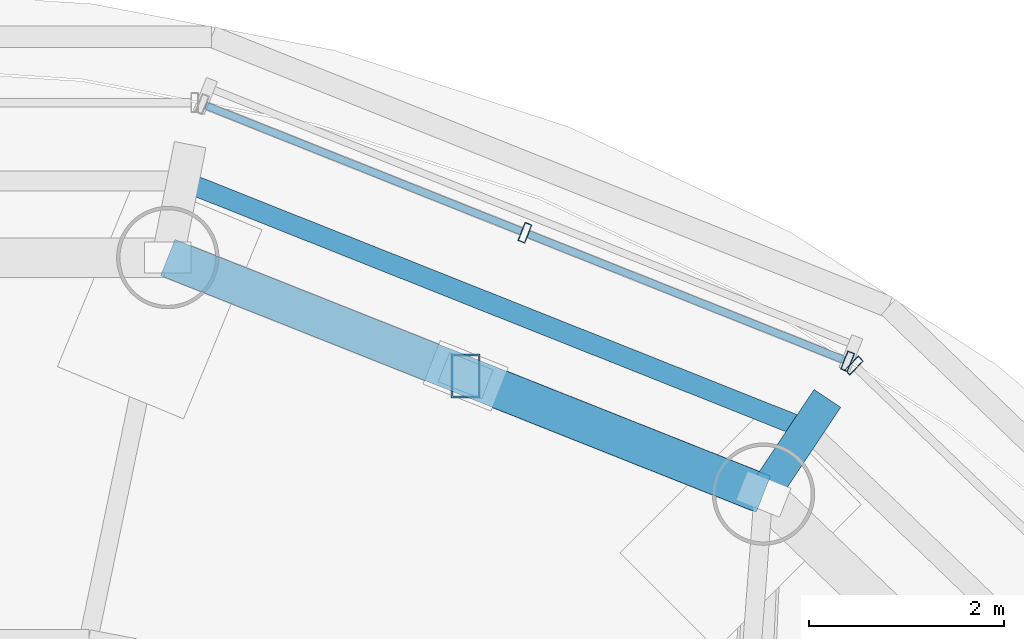
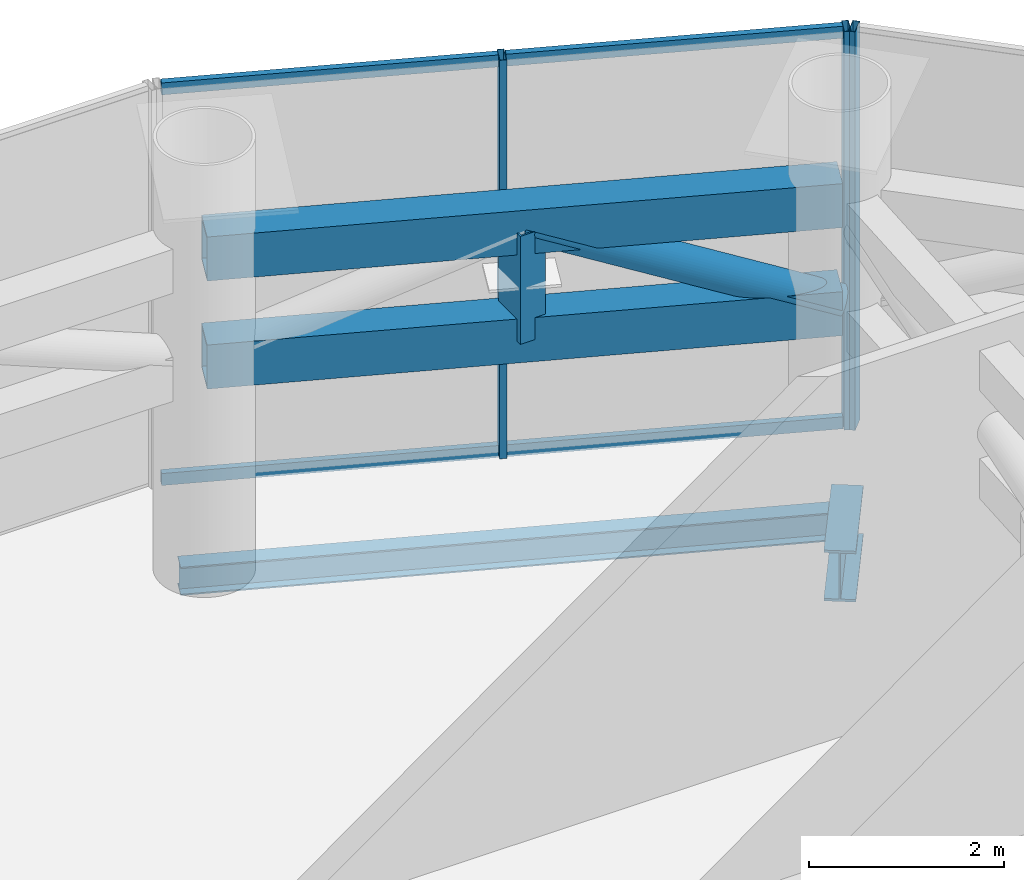
# One storey, part 14 of 21: 11 members, 2 beams, 2 elements without a shape of their own.
"""IFC4 building model written with IfcOpenShell, lengths in metres."""

from ifc_helpers import new_model, si_unit, direction, frame, origin, origin_2d, place, context, subcontext, project, spatial, hollow_rectangle, hollow_circle, i_section, extrude, source, transform, mapped, material, material_profile, profile_set, type_object, element, aggregate, save


model = new_model("IFC4")

# Units and contexts
model_context = context("Model", 3, precision=1e-05, world=origin(), true_north=direction((-0.2419218956, 0.970295726276)))
body_context = subcontext(model_context, "Body", "Model", "MODEL_VIEW")
ifc_project = project(units=[si_unit("LENGTHUNIT", "METRE"), si_unit("AREAUNIT", "SQUARE_METRE"), si_unit("VOLUMEUNIT", "CUBIC_METRE"), si_unit("PLANEANGLEUNIT", "RADIAN"), si_unit("MASSUNIT", "GRAM", prefix="KILO")], contexts=[model_context])

# Site, building, storey
site_placement = place(None, origin())
site = spatial("IfcSite", under=ifc_project, at=site_placement, CompositionType="ELEMENT")
building_placement = place(site_placement, origin())
building = spatial("IfcBuilding", under=site, at=building_placement, Name="Cobrevalo Terracotta Tower", CompositionType="ELEMENT")
storey_placement = place(building_placement, frame((0.0, 0.0, 300.699951171875)))
storey = spatial("IfcBuildingStorey", under=building, at=storey_placement, Name="L79", CompositionType="ELEMENT", Elevation=300.699951171875)

# Beams
ifc_material_1 = material(Name="Steel S355", Category="steel")
ifc_material_profile_1 = material_profile(ifc_material_1, i_section(OverallWidth=0.3291015625, OverallDepth=0.635009765625, WebThickness=0.017822265625, FlangeThickness=0.031005859375, at=origin_2d()), Name="W 610x241")
ifc_profile_set_1 = profile_set([ifc_material_profile_1], Name="Steel S355")
beam_type_1 = type_object("IfcBeamType", Name="Structural Beam W 610x241 (Steel S355)", PredefinedType="BEAM", material=ifc_profile_set_1)
beam_1_placement = place(storey_placement, frame((48.072509765625, 41.29248046875, -0.767333984375), z_axis=(-0.555511595138, -0.831508789892, 0.0), x_axis=(0.831508789892, -0.555511595138, 0.0)))
element("IfcBeam", 1, at=beam_1_placement, inside=storey, type_object=beam_type_1, Name="L79 setback step-link girder 03", PredefinedType="BEAM", context=body_context, shape_type="SweptSolid", body=[
    extrude(i_section(OverallWidth=0.3291015625, OverallDepth=0.635009765625, WebThickness=0.017822265625, FlangeThickness=0.031005859375, at=origin_2d()), origin(), (0.0, 0.0, 1.0), 1.179931640625),
])
ifc_material_profile_2 = material_profile(ifc_material_1, i_section(OverallWidth=0.205078125, OverallDepth=0.35400390625, WebThickness=0.009521484375, FlangeThickness=0.016845703125, at=origin_2d()), Name="W 360x79")
ifc_profile_set_2 = profile_set([ifc_material_profile_2], Name="Steel S355")
beam_type_2 = type_object("IfcBeamType", Name="Structural Spandrel W 360x79 (Steel S355)", PredefinedType="SPANDREL", material=ifc_profile_set_2)
beam_2_placement = place(storey_placement, frame((47.861328125, 40.9765625, -0.626953125), z_axis=(-0.929149986048, 0.369702993533, 0.0), x_axis=(-0.369702993533, -0.929149986048, 0.0)))
element("IfcBeam", 2, at=beam_2_placement, inside=storey, type_object=beam_type_2, Name="L79 perimeter ring spandrel 03", PredefinedType="SPANDREL", context=body_context, shape_type="SweptSolid", body=[
    extrude(i_section(OverallWidth=0.205078125, OverallDepth=0.35400390625, WebThickness=0.009521484375, FlangeThickness=0.016845703125, at=origin_2d()), origin(), (0.0, 0.0, 1.0), 6.88623046875),
])

# Members
ifc_material_profile_3 = material_profile(ifc_material_1, hollow_rectangle(XDim=0.300048828125, YDim=0.449951171875, WallThickness=0.02001953125, at=origin_2d()), Name="RHS 450x300x20")
ifc_profile_set_3 = profile_set([ifc_material_profile_3], Name="Steel S355")
member_type_1 = type_object("IfcMemberType", Name="Steel Post RHS 450x300x20 (Steel S355)", PredefinedType="POST", material=ifc_profile_set_3)
shared_shape_1 = source(origin(), body_context, "Body", "SweptSolid", [
    extrude(hollow_rectangle(XDim=0.300048828125, YDim=0.449951171875, WallThickness=0.02001953125, at=origin_2d()), origin(), (0.0, 0.0, 1.0), 1.349853515625),
])
member_1_placement = place(storey_placement, frame((44.36181640625, 41.524658203125, 2.650146484375), z_axis=(0.0, 0.0, 1.0), x_axis=(1.0, 0.0, 0.0)))
element("IfcMember", 3, at=member_1_placement, inside=storey, type_object=member_type_1, Name="L79 belt truss post 03", PredefinedType="POST", context=body_context, shape_type="MappedRepresentation", body=[
    mapped(shared_shape_1, transform((0.0, 0.0, 0.0), scale=1.0)),
])
ifc_material_profile_4 = material_profile(ifc_material_1, hollow_rectangle(XDim=0.39990234375, YDim=0.550048828125, WallThickness=0.02490234375, at=origin_2d()), Name="RHS 550x400x25")
ifc_profile_set_4 = profile_set([ifc_material_profile_4], Name="Steel S355")
member_type_2 = type_object("IfcMemberType", Name="Steel Chord RHS 550x400x25 (Steel S355)", PredefinedType="CHORD", material=ifc_profile_set_4)
shared_shape_2 = source(origin(), body_context, "Body", "SweptSolid", [
    extrude(hollow_rectangle(XDim=0.39990234375, YDim=0.550048828125, WallThickness=0.02490234375, at=origin_2d()), origin(), (0.0, 0.0, 1.0), 6.57421875),
])
for number, where, z_axis, x_axis, name in (
    (4, (47.4169921875, 40.311279296875, 2.650146484375), (-0.929393272516, 0.369090971173, 0.0), (-0.369090971173, -0.929393272516, 0.0), "L79 belt truss chord 03-BC"),
    (5, (47.4169921875, 40.311279296875, 4.0), (-0.929393272516, 0.369090971173, 0.0), (-0.369090971173, -0.929393272516, 0.0), "L79 belt truss chord 03-TC"),
):
    element("IfcMember", number, at=place(storey_placement, frame(where, z_axis=z_axis, x_axis=x_axis)), inside=storey, type_object=member_type_2, Name=name, PredefinedType="CHORD", context=body_context, shape_type="MappedRepresentation", body=[
        mapped(shared_shape_2, transform((0.0, 0.0, 0.0), scale=1.0)),
    ])
ifc_material_profile_5 = material_profile(ifc_material_1, hollow_circle(Radius=0.202880859375, WallThickness=0.01611328125, at=origin_2d()), Name="CHS 406x16")
ifc_profile_set_5 = profile_set([ifc_material_profile_5], Name="Steel S355")
member_type_3 = type_object("IfcMemberType", Name="Steel Brace CHS 406x16 (Steel S355)", PredefinedType="BRACE", material=ifc_profile_set_5)
shared_shape_3 = source(origin(), body_context, "Body", "SweptSolid", [
    extrude(hollow_circle(Radius=0.202880859375, WallThickness=0.01611328125, at=origin_2d()), origin(), (0.0, 0.0, 1.0), 3.5537109375),
])
member_2_placement = place(storey_placement, frame((47.4169921875, 40.311279296875, 2.650146484375), z_axis=(-0.859726784029, 0.341444950985, 0.379848920321), x_axis=(-0.36911030821, -0.929385592945, 0.0)))
element("IfcMember", 6, at=member_2_placement, inside=storey, type_object=member_type_3, Name="L79 belt truss diagonal brace 03-D1", PredefinedType="BRACE", context=body_context, shape_type="MappedRepresentation", body=[
    mapped(shared_shape_3, transform((0.0, 0.0, 0.0), scale=1.0)),
])

# Curtain wall, member
ifc_material_2 = material(Name="Anodized aluminium", Category="aluminium")
curtain_wall_type = type_object("IfcCurtainWallType", Name="Belt-truss plant acoustic weather-louvre curtain wall CW-LV", PredefinedType="NOTDEFINED", material=ifc_material_2)
curtain_wall_1_placement = place(storey_placement, origin())
curtain_wall_1 = element("IfcCurtainWall", 7, at=curtain_wall_1_placement, inside=storey, type_object=curtain_wall_type, Name="L79 curtain wall CW-LV-L79-S02", PredefinedType="NOTDEFINED")
ifc_material_profile_6 = material_profile(ifc_material_2, hollow_rectangle(XDim=0.074951171875, YDim=0.199951171875, WallThickness=0.0048828125, at=origin_2d()), Name="CWM 75x200")
ifc_profile_set_6 = profile_set([ifc_material_profile_6], Name="Anodized aluminium")
member_type_4 = type_object("IfcMemberType", Name="Lower/mid tower unitised mullion 75x200", PredefinedType="MULLION", material=ifc_profile_set_6)
shared_shape_4 = source(origin(), body_context, "Body", "SweptSolid", [
    extrude(hollow_rectangle(XDim=0.074951171875, YDim=0.199951171875, WallThickness=0.0048828125, at=origin_2d()), origin(), (0.0, 0.0, 1.0), 4.97998046875),
])
member_3_placement = place(storey_placement, frame((48.345703125, 41.630615234375, 0.0), z_axis=(0.0, 0.0, 1.0), x_axis=(-0.72055111168, 0.693401828276, 0.0)))
member_3 = element("IfcMember", 8, at=member_3_placement, type_object=member_type_4, Name="CW-LV-L79-S02 vertical mullion 03", PredefinedType="MULLION", context=body_context, shape_type="MappedRepresentation", body=[
    mapped(shared_shape_4, transform((0.0, 0.0, 0.0), scale=1.0)),
])
aggregate(curtain_wall_1, [member_3])

# Curtain wall, members
curtain_wall_2_placement = place(storey_placement, origin())
curtain_wall_2 = element("IfcCurtainWall", 9, at=curtain_wall_2_placement, inside=storey, type_object=curtain_wall_type, Name="L79 curtain wall CW-LV-L79-S03", PredefinedType="NOTDEFINED")
member_4_placement = place(storey_placement, frame((48.27978515625, 41.673095703125, 0.0), z_axis=(0.0, 0.0, 1.0), x_axis=(-0.928925921087, 0.370265625102, 0.0)))
member_4 = element("IfcMember", 10, at=member_4_placement, type_object=member_type_4, Name="CW-LV-L79-S03 vertical mullion 01", PredefinedType="MULLION", context=body_context, shape_type="MappedRepresentation", body=[
    mapped(shared_shape_4, transform((0.0, 0.0, 0.0), scale=1.0)),
])
member_5_placement = place(storey_placement, frame((44.969970703125, 42.992431640625, 0.0), z_axis=(0.0, 0.0, 1.0), x_axis=(-0.928925921087, 0.370265625102, 0.0)))
member_5 = element("IfcMember", 11, at=member_5_placement, type_object=member_type_4, Name="CW-LV-L79-S03 vertical mullion 02", PredefinedType="MULLION", context=body_context, shape_type="MappedRepresentation", body=[
    mapped(shared_shape_4, transform((0.0, 0.0, 0.0), scale=1.0)),
])
ifc_material_profile_7 = material_profile(ifc_material_2, hollow_rectangle(XDim=0.074951171875, YDim=0.14990234375, WallThickness=0.00439453125, at=origin_2d()), Name="CWT 75x150")
ifc_profile_set_7 = profile_set([ifc_material_profile_7], Name="Anodized aluminium")
member_type_5 = type_object("IfcMemberType", Name="Tower unitised aluminium transom 75x150", PredefinedType="USERDEFINED", material=ifc_profile_set_7)
shared_shape_5 = source(origin(), body_context, "Body", "SweptSolid", [
    extrude(hollow_rectangle(XDim=0.074951171875, YDim=0.14990234375, WallThickness=0.00439453125, at=origin_2d()), origin(), (0.0, 0.0, 1.0), 3.483154296875),
])
member_6_placement = place(storey_placement, frame((48.24267578125, 41.68798828125, 0.050048828125), z_axis=(-0.928915921031, 0.370290712353, 0.0), x_axis=(-0.370290712353, -0.928915921031, 0.0)))
member_6 = element("IfcMember", 12, at=member_6_placement, type_object=member_type_5, Name="CW-LV-L79-S03 transom B01-T1", ObjectType="TRANSOM", PredefinedType="USERDEFINED", context=body_context, shape_type="MappedRepresentation", body=[
    mapped(shared_shape_5, transform((0.0, 0.0, 0.0), scale=1.0)),
])
member_7_placement = place(storey_placement, frame((48.24267578125, 41.68798828125, 4.929931640625), z_axis=(-0.928915921031, 0.370290712353, 0.0), x_axis=(-0.370290712353, -0.928915921031, 0.0)))
member_7 = element("IfcMember", 13, at=member_7_placement, type_object=member_type_5, Name="CW-LV-L79-S03 transom B01-T2", ObjectType="TRANSOM", PredefinedType="USERDEFINED", context=body_context, shape_type="MappedRepresentation", body=[
    mapped(shared_shape_5, transform((0.0, 0.0, 0.0), scale=1.0)),
])
member_8_placement = place(storey_placement, frame((44.9326171875, 43.00732421875, 0.050048828125), z_axis=(-0.928915921031, 0.370290712353, 0.0), x_axis=(-0.370290712353, -0.928915921031, 0.0)))
member_8 = element("IfcMember", 14, at=member_8_placement, type_object=member_type_5, Name="CW-LV-L79-S03 transom B02-T1", ObjectType="TRANSOM", PredefinedType="USERDEFINED", context=body_context, shape_type="MappedRepresentation", body=[
    mapped(shared_shape_5, transform((0.0, 0.0, 0.0), scale=1.0)),
])
member_9_placement = place(storey_placement, frame((44.9326171875, 43.00732421875, 4.929931640625), z_axis=(-0.928915921031, 0.370290712353, 0.0), x_axis=(-0.370290712353, -0.928915921031, 0.0)))
member_9 = element("IfcMember", 15, at=member_9_placement, type_object=member_type_5, Name="CW-LV-L79-S03 transom B02-T2", ObjectType="TRANSOM", PredefinedType="USERDEFINED", context=body_context, shape_type="MappedRepresentation", body=[
    mapped(shared_shape_5, transform((0.0, 0.0, 0.0), scale=1.0)),
])
aggregate(curtain_wall_2, [member_4, member_5, member_6, member_7, member_8, member_9])

save(model, "model.ifc")
